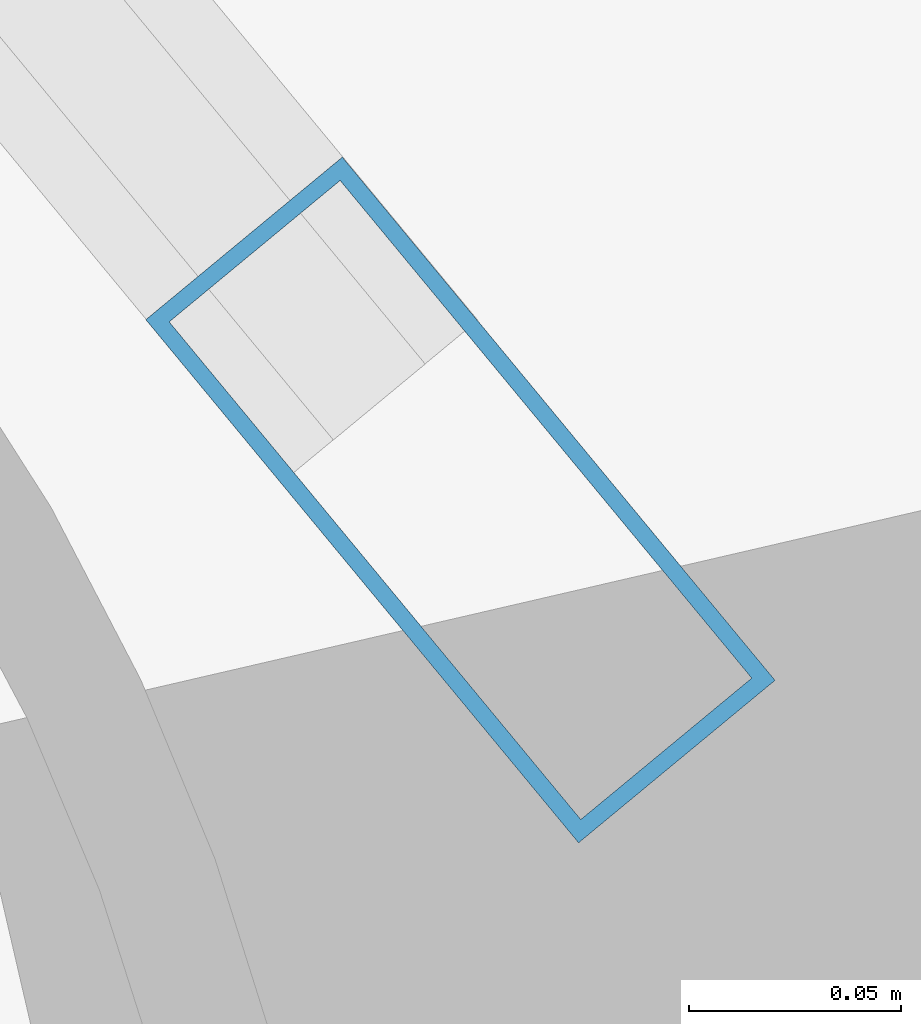
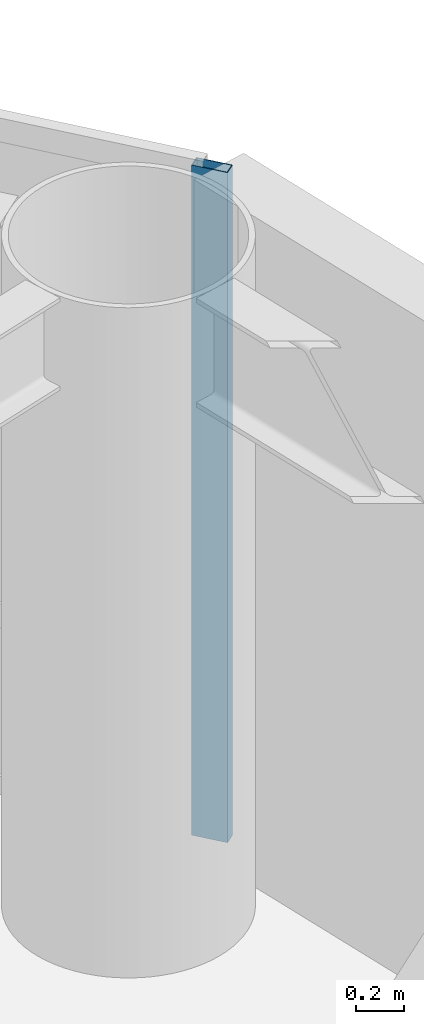
# One storey, part 9 of 29: 1 member, 1 element without a shape of its own.
"""IFC4 building model written with IfcOpenShell, lengths in metres."""

from ifc_helpers import new_model, si_unit, direction, frame, origin, origin_2d, place, context, subcontext, project, spatial, hollow_rectangle, extrude, material, layer, layer_set, material_profile, profile_set, type_object, element, aggregate, save


model = new_model("IFC4")

# Units and contexts
model_context = context("Model", 3, precision=1e-05, world=origin(), true_north=direction((0.0, 1.0)))
body_context = subcontext(model_context, "Body", "Model", "MODEL_VIEW")
ifc_project = project(units=[si_unit("LENGTHUNIT", "METRE"), si_unit("AREAUNIT", "SQUARE_METRE"), si_unit("VOLUMEUNIT", "CUBIC_METRE"), si_unit("PLANEANGLEUNIT", "RADIAN"), si_unit("MASSUNIT", "GRAM", prefix="KILO")], contexts=[model_context])

# Site, building, storey
site_placement = place(None, origin())
site = spatial("IfcSite", under=ifc_project, at=site_placement, CompositionType="ELEMENT")
building_placement = place(site_placement, origin())
building = spatial("IfcBuilding", under=site, at=building_placement, Name="Sarneth Arch Tower", CompositionType="ELEMENT")
storey_placement = place(building_placement, frame((0.0, 0.0, 165.0)))
storey = spatial("IfcBuildingStorey", under=building, at=storey_placement, Name="L41", CompositionType="ELEMENT", Elevation=165.0)

# Curtain wall, member
ifc_material_1 = material(Name="Anodised aluminium Type AA25 and solar-control low-e laminated IGU", Category="aluminium")
ifc_layer = layer(ifc_material_1, 0.169921875)
ifc_layer_set = layer_set([ifc_layer], Name="Anodised aluminium Type AA25 and solar-control low-e laminated IGU")
curtain_wall_type = type_object("IfcCurtainWallType", Name="CW-RES-MID", PredefinedType="NOTDEFINED", material=ifc_layer_set)
curtain_wall_placement = place(storey_placement, origin())
curtain_wall = element("IfcCurtainWall", 1, at=curtain_wall_placement, inside=storey, type_object=curtain_wall_type, Name="L41 Unitised curtain wall facet 02", PredefinedType="NOTDEFINED")
ifc_material_2 = material(Name="Anodised Aluminium 6063-T6", Category="aluminium")
ifc_material_profile = material_profile(ifc_material_2, hollow_rectangle(XDim=0.06005859375, YDim=0.159912109375, WallThickness=0.00390625, at=origin_2d()), Name="AL-MULL-160x60x4")
ifc_profile_set = profile_set([ifc_material_profile], Name="Anodised Aluminium 6063-T6")
member_type = type_object("IfcMemberType", Name="CW-MULLION", PredefinedType="MULLION", material=ifc_profile_set)
member_placement = place(storey_placement, frame((73.213134765625, 50.090087890625, 0.0), z_axis=(0.0, 0.0, 1.0), x_axis=(-0.770590741276, -0.637330298558, 0.0)))
member = element("IfcMember", 2, at=member_placement, type_object=member_type, Name="CW-SYS-5 mullion 1", PredefinedType="MULLION", context=body_context, shape_type="SweptSolid", body=[
    extrude(hollow_rectangle(XDim=0.06005859375, YDim=0.159912109375, WallThickness=0.00390625, at=origin_2d()), origin(), (0.0, 0.0, 1.0), 3.3798828125),
])
aggregate(curtain_wall, [member])

save(model, "model.ifc")
